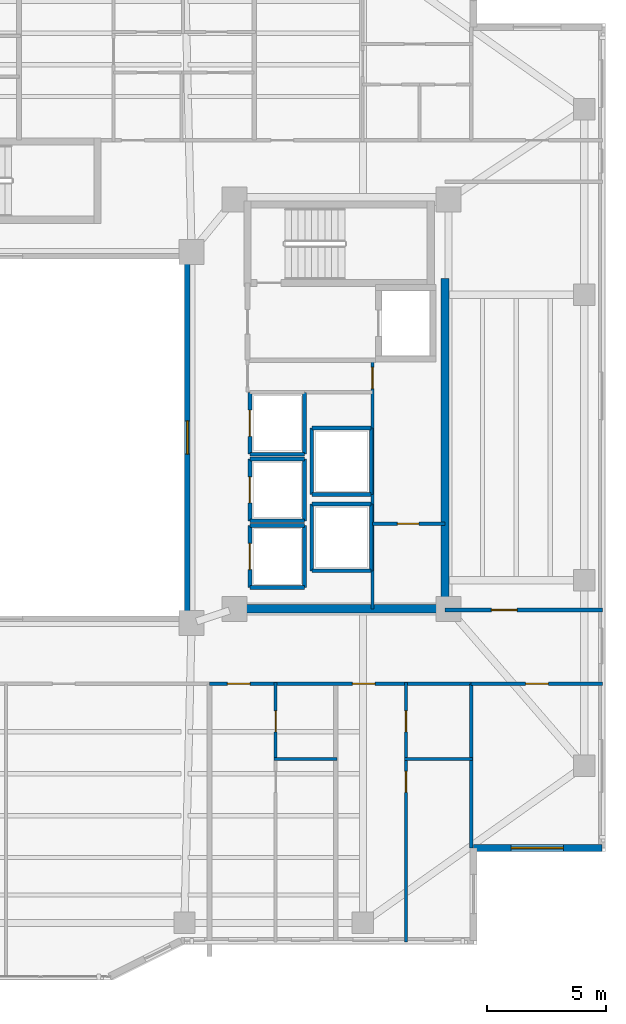
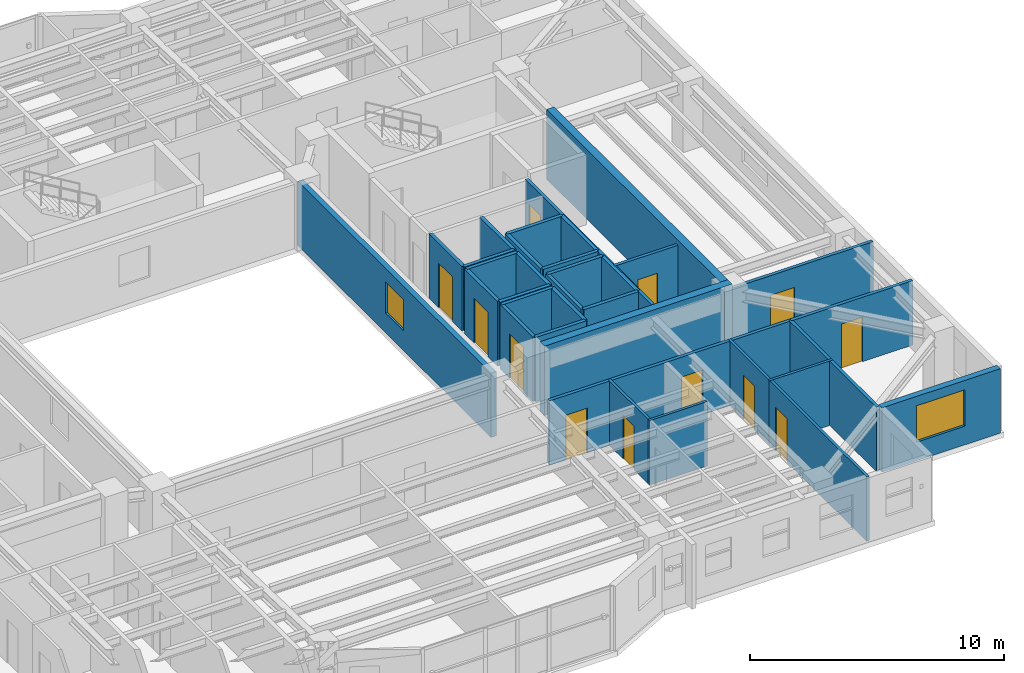
# One storey, part 8 of 16: 34 walls, 12 doors, 2 windows, 14 openings.
"""IFC4 building model written with IfcOpenShell, lengths in metres."""

from ifc_helpers import new_model, si_unit, direction, frame, frame_2d, origin, place, context, subcontext, project, spatial, rectangle, extrude, material, layer, layer_set, type_object, element, fill, save


model = new_model("IFC4")

# Units and contexts
model_context = context("Model", 3, precision=1e-05, world=origin(), true_north=direction((0.0, 1.0)))
body_context = subcontext(model_context, "Body", "Model", "MODEL_VIEW")
ifc_project = project(units=[si_unit("LENGTHUNIT", "METRE"), si_unit("AREAUNIT", "SQUARE_METRE"), si_unit("VOLUMEUNIT", "CUBIC_METRE"), si_unit("PLANEANGLEUNIT", "RADIAN"), si_unit("MASSUNIT", "GRAM", prefix="KILO")], contexts=[model_context])

# Site, building, storey
site_placement = place(None, origin())
site = spatial("IfcSite", under=ifc_project, at=site_placement, CompositionType="ELEMENT")
building_placement = place(site_placement, origin())
building = spatial("IfcBuilding", under=site, at=building_placement, Name="Tarnavaz Court Tower", CompositionType="ELEMENT")
storey_placement = place(building_placement, frame((0.0, 0.0, 156.050048828125)))
storey = spatial("IfcBuildingStorey", under=building, at=storey_placement, Name="L42", CompositionType="ELEMENT", Elevation=156.050048828125)

# Walls
ifc_material_1 = material(Name="Concrete C50/60", Category="concrete")
ifc_layer_1 = layer(ifc_material_1, 0.35009765625)
ifc_layer_set_1 = layer_set([ifc_layer_1], Name="Concrete C50/60")
wall_type_1 = type_object("IfcWallType", Name="WL-CORE-350-C50", PredefinedType="SHEAR", material=ifc_layer_set_1)
wall_1_placement = place(storey_placement, frame((18.449951171875, -7.375, 0.0), z_axis=(0.0, 0.0, 1.0), x_axis=(0.0, 1.0, 0.0)))
element("IfcWall", 1, at=wall_1_placement, inside=storey, type_object=wall_type_1, Name="L42 East Core Shear Wall 059", PredefinedType="SHEAR", context=body_context, shape_type="SweptSolid", body=[
    extrude(rectangle(XDim=14.050048828125, YDim=0.35009765625, at=frame_2d((7.02490234375, 0.0))), origin(), (0.0, 0.0, 1.0), 3.349853515625),
])
wall_2_placement = place(storey_placement, frame((10.074951171875, -7.199951171875, 0.0), z_axis=(0.0, 0.0, 1.0), x_axis=(1.0, 0.0, 0.0)))
element("IfcWall", 2, at=wall_2_placement, inside=storey, type_object=wall_type_1, Name="L42 East Core South Shear Wall 060", PredefinedType="SHEAR", context=body_context, shape_type="SweptSolid", body=[
    extrude(rectangle(XDim=8.550048828125, YDim=0.35009765625, at=frame_2d((4.27490234375, 0.0))), origin(), (0.0, 0.0, 1.0), 3.349853515625),
])

# Wall, opening, window
ifc_material_2 = material(Name="Precast Concrete C40/50", Category="concrete")
ifc_layer_2 = layer(ifc_material_2, 0.280029296875)
ifc_layer_set_2 = layer_set([ifc_layer_2], Name="Precast Concrete C40/50")
wall_type_2 = type_object("IfcWallType", Name="WL-EXT-280", PredefinedType="SOLIDWALL", material=ifc_layer_set_2)
wall_3_placement = place(storey_placement, frame((25.050048828125, -17.25, 0.0), z_axis=(0.0, 0.0, 1.0), x_axis=(-1.0, 0.0, 0.0)))
wall_3 = element("IfcWall", 3, at=wall_3_placement, inside=storey, type_object=wall_type_2, Name="L42 Exterior Terracotta Facade Wall 13", PredefinedType="SOLIDWALL", context=body_context, shape_type="SweptSolid", body=[
    extrude(rectangle(XDim=5.400146484375, YDim=0.280029296875, at=frame_2d((2.7001953125, 0.0))), origin(), (0.0, 0.0, 1.0), 3.099853515625),
])
opening_1_placement = place(wall_3_placement, frame((1.625, 0.0, 0.89990234375)))
opening_1 = element("IfcOpeningElement", 4, at=opening_1_placement, cuts=wall_3, Name="Opening W07", PredefinedType="OPENING", context=body_context, shape_type="SweptSolid", body=[
    extrude(rectangle(XDim=2.199951171875, YDim=1.75, at=frame_2d((1.10009765625, 0.875))), frame((0.0, 0.14990234375, 0.0), z_axis=(0.0, -1.0, 0.0), x_axis=(1.0, 0.0, 0.0)), (0.0, 0.0, 1.0), 0.300048828125),
])
ifc_material_3 = material(Name="Double-Glazed Solar Low-E Glass", Category="glass")
window_type_1 = type_object("IfcWindowType", Name="WN-APT-2200", PartitioningType="TRIPLE_PANEL_VERTICAL", PredefinedType="WINDOW", material=ifc_material_3)
window_1_placement = place(opening_1_placement, origin())
window_1 = element("IfcWindow", 5, at=window_1_placement, inside=storey, type_object=window_type_1, Name="L42 South-East Corner Reading Room Window", OverallHeight=1.75, OverallWidth=2.199951171875, PartitioningType="SINGLE_PANEL", PredefinedType="WINDOW", context=body_context, shape_type="SweptSolid", body=[
    extrude(rectangle(XDim=2.199951171875, YDim=1.75, at=frame_2d((1.10009765625, 0.875))), frame((0.0, 0.030029296875, 0.0), z_axis=(0.0, -1.0, 0.0), x_axis=(1.0, 0.0, 0.0)), (0.0, 0.0, 1.0), 0.06005859375),
])
fill(opening_1, window_1)

# Wall, openings, doors
ifc_material_4 = material(Name="Gypsum Fire-Board on Acoustic Metal Stud", Category="masonry")
ifc_layer_3 = layer(ifc_material_4, 0.14990234375)
ifc_layer_set_3 = layer_set([ifc_layer_3], Name="Gypsum Fire-Board on Acoustic Metal Stud")
wall_type_3 = type_object("IfcWallType", Name="WL-FIRE-150", PredefinedType="PARTITIONING", material=ifc_layer_set_3)
wall_4_placement = place(storey_placement, frame((8.550048828125, -10.35009765625, 0.0), z_axis=(0.0, 0.0, 1.0), x_axis=(1.0, 0.0, 0.0)))
wall_4 = element("IfcWall", 6, at=wall_4_placement, inside=storey, type_object=wall_type_3, Name="L42 SE Horseshoe Wall 074", PredefinedType="PARTITIONING", context=body_context, shape_type="SweptSolid", body=[
    extrude(rectangle(XDim=11.0, YDim=0.14990234375, at=frame_2d((5.5, 0.0))), origin(), (0.0, 0.0, 1.0), 3.099853515625),
])
opening_2_placement = place(wall_4_placement, frame((0.75, 0.0, 0.0)))
opening_2 = element("IfcOpeningElement", 7, at=opening_2_placement, cuts=wall_4, Name="Opening D06", PredefinedType="OPENING", context=body_context, shape_type="SweptSolid", body=[
    extrude(rectangle(XDim=0.9599609375, YDim=2.14990234375, at=frame_2d((0.47998046875, 1.074951171875))), frame((0.0, 0.0849609375, 0.0), z_axis=(0.0, -1.0, 0.0), x_axis=(1.0, 0.0, 0.0)), (0.0, 0.0, 1.0), 0.169921875),
])
opening_3_placement = place(wall_4_placement, frame((6.006103515625, 0.0, 0.0)))
opening_3 = element("IfcOpeningElement", 8, at=opening_3_placement, cuts=wall_4, Name="Opening D06", PredefinedType="OPENING", context=body_context, shape_type="SweptSolid", body=[
    extrude(rectangle(XDim=0.9599609375, YDim=2.14990234375, at=frame_2d((0.47998046875, 1.074951171875))), frame((0.0, 0.0849609375, 0.0), z_axis=(0.0, -1.0, 0.0), x_axis=(1.0, 0.0, 0.0)), (0.0, 0.0, 1.0), 0.169921875),
])
ifc_material_5 = material(Name="Fire-Rated Hardwood Timber Core", Category="wood")
door_type_1 = type_object("IfcDoorType", Name="DR-FD60-950", OperationType="NOTDEFINED", PredefinedType="DOOR", material=ifc_material_5)
door_1_placement = place(opening_2_placement, origin())
door_1 = element("IfcDoor", 9, at=door_1_placement, inside=storey, type_object=door_type_1, Name="L42 Flat 07 Entrance Door", OperationType="SINGLE_SWING_LEFT", OverallHeight=2.14990234375, OverallWidth=0.9599609375, PredefinedType="DOOR", context=body_context, shape_type="SweptSolid", body=[
    extrude(rectangle(XDim=0.9599609375, YDim=2.14990234375, at=frame_2d((0.47998046875, 1.074951171875))), frame((0.0, 0.02490234375, 0.0), z_axis=(0.0, -1.0, 0.0), x_axis=(1.0, 0.0, 0.0)), (0.0, 0.0, 1.0), 0.050048828125),
])
fill(opening_2, door_1)
door_2_placement = place(opening_3_placement, origin())
door_2 = element("IfcDoor", 10, at=door_2_placement, inside=storey, type_object=door_type_1, Name="L42 Flat 08 Entrance Door", OperationType="SINGLE_SWING_RIGHT", OverallHeight=2.14990234375, OverallWidth=0.9599609375, PredefinedType="DOOR", context=body_context, shape_type="SweptSolid", body=[
    extrude(rectangle(XDim=0.9599609375, YDim=2.14990234375, at=frame_2d((0.47998046875, 1.074951171875))), frame((0.0, 0.02490234375, 0.0), z_axis=(0.0, -1.0, 0.0), x_axis=(1.0, 0.0, 0.0)), (0.0, 0.0, 1.0), 0.050048828125),
])
fill(opening_3, door_2)

# Wall, opening, door
wall_5_placement = place(storey_placement, frame((18.449951171875, -7.25, 0.0), z_axis=(0.0, 0.0, 1.0), x_axis=(1.0, 0.0, 0.0)))
wall_5 = element("IfcWall", 11, at=wall_5_placement, inside=storey, type_object=wall_type_3, Name="L42 Interior Partition 120", PredefinedType="PARTITIONING", context=body_context, shape_type="SweptSolid", body=[
    extrude(rectangle(XDim=6.630126953125, YDim=0.14990234375, at=frame_2d((3.31494140625, 0.0))), origin(), (0.0, 0.0, 1.0), 3.099853515625),
])
opening_4_placement = place(wall_5_placement, frame((1.949951171875, 0.0, 0.0)))
opening_4 = element("IfcOpeningElement", 12, at=opening_4_placement, cuts=wall_5, Name="Opening D12", PredefinedType="OPENING", context=body_context, shape_type="SweptSolid", body=[
    extrude(rectangle(XDim=1.080078125, YDim=2.14990234375, at=frame_2d((0.5400390625, 1.074951171875))), frame((0.0, 0.0849609375, 0.0), z_axis=(0.0, -1.0, 0.0), x_axis=(1.0, 0.0, 0.0)), (0.0, 0.0, 1.0), 0.169921875),
])
ifc_material_6 = material(Name="Engineered Oak Timber", Category="wood")
door_type_2 = type_object("IfcDoorType", Name="DR-INT-1100", OperationType="NOTDEFINED", PredefinedType="DOOR", material=ifc_material_6)
door_3_placement = place(opening_4_placement, origin())
door_3 = element("IfcDoor", 13, at=door_3_placement, inside=storey, type_object=door_type_2, Name="L42 East Fitness Lounge Door", OperationType="SINGLE_SWING_RIGHT", OverallHeight=2.14990234375, OverallWidth=1.080078125, PredefinedType="DOOR", context=body_context, shape_type="SweptSolid", body=[
    extrude(rectangle(XDim=1.080078125, YDim=2.14990234375, at=frame_2d((0.5400390625, 1.074951171875))), frame((0.0, 0.02490234375, 0.0), z_axis=(0.0, -1.0, 0.0), x_axis=(1.0, 0.0, 0.0)), (0.0, 0.0, 1.0), 0.050048828125),
])
fill(opening_4, door_3)

wall_6_placement = place(storey_placement, frame((19.550048828125, -10.35009765625, 0.0), z_axis=(0.0, 0.0, 1.0), x_axis=(1.0, 0.0, 0.0)))
wall_6 = element("IfcWall", 14, at=wall_6_placement, inside=storey, type_object=wall_type_3, Name="L42 Interior Partition 129", PredefinedType="PARTITIONING", context=body_context, shape_type="SweptSolid", body=[
    extrude(rectangle(XDim=5.530029296875, YDim=0.14990234375, at=frame_2d((2.76513671875, 0.0))), origin(), (0.0, 0.0, 1.0), 3.099853515625),
])
opening_5_placement = place(wall_6_placement, frame((2.2900390625, 0.0, 0.0)))
opening_5 = element("IfcOpeningElement", 15, at=opening_5_placement, cuts=wall_6, Name="Opening D13", PredefinedType="OPENING", context=body_context, shape_type="SweptSolid", body=[
    extrude(rectangle(XDim=0.949951171875, YDim=2.14990234375, at=frame_2d((0.47509765625, 1.074951171875))), frame((0.0, 0.0849609375, 0.0), z_axis=(0.0, -1.0, 0.0), x_axis=(1.0, 0.0, 0.0)), (0.0, 0.0, 1.0), 0.169921875),
])
door_type_3 = type_object("IfcDoorType", Name="DR-INT-950", OperationType="NOTDEFINED", PredefinedType="DOOR", material=ifc_material_6)
door_4_placement = place(opening_5_placement, origin())
door_4 = element("IfcDoor", 16, at=door_4_placement, inside=storey, type_object=door_type_3, Name="L42 SE Reading Room Door", OperationType="SINGLE_SWING_RIGHT", OverallHeight=2.14990234375, OverallWidth=0.949951171875, PredefinedType="DOOR", context=body_context, shape_type="SweptSolid", body=[
    extrude(rectangle(XDim=0.949951171875, YDim=2.14990234375, at=frame_2d((0.47509765625, 1.074951171875))), frame((0.0, 0.02490234375, 0.0), z_axis=(0.0, -1.0, 0.0), x_axis=(1.0, 0.0, 0.0)), (0.0, 0.0, 1.0), 0.050048828125),
])
fill(opening_5, door_4)

ifc_material_7 = material(Name="Moisture-Resistant Gypsum Board Partition", Category="masonry")
ifc_layer_4 = layer(ifc_material_7, 0.1201171875)
ifc_layer_set_4 = layer_set([ifc_layer_4], Name="Moisture-Resistant Gypsum Board Partition")
wall_type_4 = type_object("IfcWallType", Name="WL-PART-120", PredefinedType="PARTITIONING", material=ifc_layer_set_4)
wall_7_placement = place(storey_placement, frame((11.3310546875, -13.510009765625, 0.0), z_axis=(0.0, 0.0, 1.0), x_axis=(0.0, 1.0, 0.0)))
wall_7 = element("IfcWall", 17, at=wall_7_placement, inside=storey, type_object=wall_type_4, Name="L42 Interior Partition 109", PredefinedType="PARTITIONING", context=body_context, shape_type="SweptSolid", body=[
    extrude(rectangle(XDim=3.219970703125, YDim=0.1201171875, at=frame_2d((1.60986328125, 0.0))), origin(), (0.0, 0.0, 1.0), 3.099853515625),
])
opening_6_placement = place(wall_7_placement, frame((1.139892578125, 0.0, 0.0)))
opening_6 = element("IfcOpeningElement", 18, at=opening_6_placement, cuts=wall_7, Name="Opening D14", PredefinedType="OPENING", context=body_context, shape_type="SweptSolid", body=[
    extrude(rectangle(XDim=0.8798828125, YDim=2.10009765625, at=frame_2d((0.43994140625, 1.050048828125))), frame((0.0, 0.070068359375, 0.0), z_axis=(0.0, -1.0, 0.0), x_axis=(1.0, 0.0, 0.0)), (0.0, 0.0, 1.0), 0.14013671875),
])
door_type_4 = type_object("IfcDoorType", Name="DR-INT-900", OperationType="NOTDEFINED", PredefinedType="DOOR", material=ifc_material_6)
door_5_placement = place(opening_6_placement, origin())
door_5 = element("IfcDoor", 19, at=door_5_placement, inside=storey, type_object=door_type_4, Name="L42 Flat 07 Bathroom Door", OperationType="SINGLE_SWING_LEFT", OverallHeight=2.10009765625, OverallWidth=0.8798828125, PredefinedType="DOOR", context=body_context, shape_type="SweptSolid", body=[
    extrude(rectangle(XDim=0.8798828125, YDim=2.10009765625, at=frame_2d((0.43994140625, 1.050048828125))), frame((0.0, 0.02490234375, 0.0), z_axis=(0.0, -1.0, 0.0), x_axis=(1.0, 0.0, 0.0)), (0.0, 0.0, 1.0), 0.050048828125),
])
fill(opening_6, door_5)

# Wall
wall_8_placement = place(storey_placement, frame((11.27099609375, -13.510009765625, 0.0), z_axis=(0.0, 0.0, 1.0), x_axis=(1.0, 0.0, 0.0)))
element("IfcWall", 20, at=wall_8_placement, inside=storey, type_object=wall_type_4, Name="L42 Interior Partition 110", PredefinedType="PARTITIONING", context=body_context, shape_type="SweptSolid", body=[
    extrude(rectangle(XDim=2.64501953125, YDim=0.1201171875, at=frame_2d((1.322509765625, 0.0))), origin(), (0.0, 0.0, 1.0), 3.099853515625),
])

# Wall, opening, door
wall_9_placement = place(storey_placement, frame((16.81396484375, -21.199951171875, 0.0), z_axis=(0.0, 0.0, 1.0), x_axis=(0.0, 1.0, 0.0)))
wall_9 = element("IfcWall", 21, at=wall_9_placement, inside=storey, type_object=wall_type_4, Name="L42 Interior Partition 111", PredefinedType="PARTITIONING", context=body_context, shape_type="SweptSolid", body=[
    extrude(rectangle(XDim=7.68994140625, YDim=0.1201171875, at=frame_2d((3.844970703125, 0.0))), origin(), (0.0, 0.0, 1.0), 3.099853515625),
])
opening_7_placement = place(wall_9_placement, frame((6.2900390625, 0.0, 0.0)))
opening_7 = element("IfcOpeningElement", 22, at=opening_7_placement, cuts=wall_9, Name="Opening D14", PredefinedType="OPENING", context=body_context, shape_type="SweptSolid", body=[
    extrude(rectangle(XDim=0.8798828125, YDim=2.10009765625, at=frame_2d((0.43994140625, 1.050048828125))), frame((0.0, 0.070068359375, 0.0), z_axis=(0.0, -1.0, 0.0), x_axis=(1.0, 0.0, 0.0)), (0.0, 0.0, 1.0), 0.14013671875),
])
door_6_placement = place(opening_7_placement, origin())
door_6 = element("IfcDoor", 23, at=door_6_placement, inside=storey, type_object=door_type_4, Name="L42 Flat 08 Kitchen Door", OperationType="SINGLE_SWING_LEFT", OverallHeight=2.10009765625, OverallWidth=0.8798828125, PredefinedType="DOOR", context=body_context, shape_type="SweptSolid", body=[
    extrude(rectangle(XDim=0.8798828125, YDim=2.10009765625, at=frame_2d((0.43994140625, 1.050048828125))), frame((0.0, 0.02490234375, 0.0), z_axis=(0.0, -1.0, 0.0), x_axis=(1.0, 0.0, 0.0)), (0.0, 0.0, 1.0), 0.050048828125),
])
fill(opening_7, door_6)

wall_10_placement = place(storey_placement, frame((16.81396484375, -13.510009765625, 0.0), z_axis=(0.0, 0.0, 1.0), x_axis=(0.0, 1.0, 0.0)))
wall_10 = element("IfcWall", 24, at=wall_10_placement, inside=storey, type_object=wall_type_4, Name="L42 Interior Partition 112", PredefinedType="PARTITIONING", context=body_context, shape_type="SweptSolid", body=[
    extrude(rectangle(XDim=3.219970703125, YDim=0.1201171875, at=frame_2d((1.60986328125, 0.0))), origin(), (0.0, 0.0, 1.0), 3.099853515625),
])
opening_8_placement = place(wall_10_placement, frame((1.139892578125, 0.0, 0.0)))
opening_8 = element("IfcOpeningElement", 25, at=opening_8_placement, cuts=wall_10, Name="Opening D14", PredefinedType="OPENING", context=body_context, shape_type="SweptSolid", body=[
    extrude(rectangle(XDim=0.8798828125, YDim=2.10009765625, at=frame_2d((0.43994140625, 1.050048828125))), frame((0.0, 0.070068359375, 0.0), z_axis=(0.0, -1.0, 0.0), x_axis=(1.0, 0.0, 0.0)), (0.0, 0.0, 1.0), 0.14013671875),
])
door_7_placement = place(opening_8_placement, origin())
door_7 = element("IfcDoor", 26, at=door_7_placement, inside=storey, type_object=door_type_4, Name="L42 Flat 08 Bathroom Door", OperationType="SINGLE_SWING_RIGHT", OverallHeight=2.10009765625, OverallWidth=0.8798828125, PredefinedType="DOOR", context=body_context, shape_type="SweptSolid", body=[
    extrude(rectangle(XDim=0.8798828125, YDim=2.10009765625, at=frame_2d((0.43994140625, 1.050048828125))), frame((0.0, 0.02490234375, 0.0), z_axis=(0.0, -1.0, 0.0), x_axis=(1.0, 0.0, 0.0)), (0.0, 0.0, 1.0), 0.050048828125),
])
fill(opening_8, door_7)

# Wall
wall_11_placement = place(storey_placement, frame((16.75390625, -13.510009765625, 0.0), z_axis=(0.0, 0.0, 1.0), x_axis=(1.0, 0.0, 0.0)))
element("IfcWall", 27, at=wall_11_placement, inside=storey, type_object=wall_type_4, Name="L42 Interior Partition 113", PredefinedType="PARTITIONING", context=body_context, shape_type="SweptSolid", body=[
    extrude(rectangle(XDim=2.856201171875, YDim=0.1201171875, at=frame_2d((1.42822265625, 0.0))), origin(), (0.0, 0.0, 1.0), 3.099853515625),
])

# Wall, opening, door
ifc_material_8 = material(Name="Gypsum Plasterboard Acoustic Partition", Category="masonry")
ifc_layer_5 = layer(ifc_material_8, 0.139892578125)
ifc_layer_set_5 = layer_set([ifc_layer_5], Name="Gypsum Plasterboard Acoustic Partition")
wall_type_5 = type_object("IfcWallType", Name="WL-PART-150", PredefinedType="PARTITIONING", material=ifc_layer_set_5)
wall_12_placement = place(storey_placement, frame((15.39990234375, -7.199951171875, 0.0), z_axis=(0.0, 0.0, 1.0), x_axis=(0.0, 1.0, 0.0)))
wall_12 = element("IfcWall", 28, at=wall_12_placement, inside=storey, type_object=wall_type_5, Name="L42 Interior Partition 069", PredefinedType="PARTITIONING", context=body_context, shape_type="SweptSolid", body=[
    extrude(rectangle(XDim=10.449951171875, YDim=0.139892578125, at=frame_2d((5.22509765625, 0.0))), origin(), (0.0, 0.0, 1.0), 3.099853515625),
])
opening_9_placement = place(wall_12_placement, frame((9.25, 0.0, 0.0)))
opening_9 = element("IfcOpeningElement", 29, at=opening_9_placement, cuts=wall_12, Name="Opening D09", PredefinedType="OPENING", context=body_context, shape_type="SweptSolid", body=[
    extrude(rectangle(XDim=0.89990234375, YDim=2.080078125, at=frame_2d((0.449951171875, 1.0400390625))), frame((0.0, 0.079833984375, 0.0), z_axis=(0.0, -1.0, 0.0), x_axis=(1.0, 0.0, 0.0)), (0.0, 0.0, 1.0), 0.159912109375),
])
door_type_5 = type_object("IfcDoorType", Name="DR-FD30-900", OperationType="NOTDEFINED", PredefinedType="DOOR", material=ifc_material_5)
door_8_placement = place(opening_9_placement, origin())
door_8 = element("IfcDoor", 30, at=door_8_placement, inside=storey, type_object=door_type_5, Name="L42 East Wet Riser Door", OperationType="SINGLE_SWING_LEFT", OverallHeight=2.080078125, OverallWidth=0.89990234375, PredefinedType="DOOR", context=body_context, shape_type="SweptSolid", body=[
    extrude(rectangle(XDim=0.89990234375, YDim=2.080078125, at=frame_2d((0.449951171875, 1.0400390625))), frame((0.0, 0.02490234375, 0.0), z_axis=(0.0, -1.0, 0.0), x_axis=(1.0, 0.0, 0.0)), (0.0, 0.0, 1.0), 0.050048828125),
])
fill(opening_9, door_8)

wall_13_placement = place(storey_placement, frame((15.39990234375, -3.6201171875, 0.0), z_axis=(0.0, 0.0, 1.0), x_axis=(1.0, 0.0, 0.0)))
wall_13 = element("IfcWall", 31, at=wall_13_placement, inside=storey, type_object=wall_type_5, Name="L42 Interior Partition 070", PredefinedType="PARTITIONING", context=body_context, shape_type="SweptSolid", body=[
    extrude(rectangle(XDim=3.050048828125, YDim=0.139892578125, at=frame_2d((1.52490234375, 0.0))), origin(), (0.0, 0.0, 1.0), 3.099853515625),
])
opening_10_placement = place(wall_13_placement, frame((1.050048828125, 0.0, 0.0)))
opening_10 = element("IfcOpeningElement", 32, at=opening_10_placement, cuts=wall_13, Name="Opening D09", PredefinedType="OPENING", context=body_context, shape_type="SweptSolid", body=[
    extrude(rectangle(XDim=0.89990234375, YDim=2.080078125, at=frame_2d((0.449951171875, 1.0400390625))), frame((0.0, 0.079833984375, 0.0), z_axis=(0.0, -1.0, 0.0), x_axis=(1.0, 0.0, 0.0)), (0.0, 0.0, 1.0), 0.159912109375),
])
door_9_placement = place(opening_10_placement, origin())
door_9 = element("IfcDoor", 33, at=door_9_placement, inside=storey, type_object=door_type_5, Name="L42 East Electrical Plant Door", OperationType="SINGLE_SWING_RIGHT", OverallHeight=2.080078125, OverallWidth=0.89990234375, PredefinedType="DOOR", context=body_context, shape_type="SweptSolid", body=[
    extrude(rectangle(XDim=0.89990234375, YDim=2.080078125, at=frame_2d((0.449951171875, 1.0400390625))), frame((0.0, 0.02490234375, 0.0), z_axis=(0.0, -1.0, 0.0), x_axis=(1.0, 0.0, 0.0)), (0.0, 0.0, 1.0), 0.050048828125),
])
fill(opening_10, door_9)

# Wall
wall_14_placement = place(storey_placement, frame((19.550048828125, -17.25, 0.0), z_axis=(0.0, 0.0, 1.0), x_axis=(0.0, 1.0, 0.0)))
element("IfcWall", 34, at=wall_14_placement, inside=storey, type_object=wall_type_5, Name="L42 Interior Partition 123", PredefinedType="PARTITIONING", context=body_context, shape_type="SweptSolid", body=[
    extrude(rectangle(XDim=6.89990234375, YDim=0.139892578125, at=frame_2d((3.449951171875, 0.0))), origin(), (0.0, 0.0, 1.0), 3.099853515625),
])

# Wall, opening, door
ifc_material_9 = material(Name="Autoclaved Aerated Concrete Blockwork", Category="masonry")
ifc_layer_6 = layer(ifc_material_9, 0.159912109375)
ifc_layer_set_6 = layer_set([ifc_layer_6], Name="Autoclaved Aerated Concrete Blockwork")
wall_type_6 = type_object("IfcWallType", Name="WL-SHAFT-150", PredefinedType="SOLIDWALL", material=ifc_layer_set_6)
wall_15_placement = place(storey_placement, frame((10.25, -6.300048828125, 0.0), z_axis=(0.0, 0.0, 1.0), x_axis=(0.0, 1.0, 0.0)))
wall_15 = element("IfcWall", 35, at=wall_15_placement, inside=storey, type_object=wall_type_6, Name="L42 Lift PL-M1 Shaft Wall 037", PredefinedType="SOLIDWALL", context=body_context, shape_type="SweptSolid", body=[
    extrude(rectangle(XDim=2.60009765625, YDim=0.159912109375, at=frame_2d((1.300048828125, 0.0))), origin(), (0.0, 0.0, 1.0), 3.099853515625),
])
opening_11_placement = place(wall_15_placement, frame((0.75, 0.0, 0.0)))
opening_11 = element("IfcOpeningElement", 36, at=opening_11_placement, cuts=wall_15, Name="Opening LD1", PredefinedType="OPENING", context=body_context, shape_type="SweptSolid", body=[
    extrude(rectangle(XDim=1.10009765625, YDim=2.14990234375, at=frame_2d((0.550048828125, 1.074951171875))), frame((0.0, 0.08984375, 0.0), z_axis=(0.0, -1.0, 0.0), x_axis=(1.0, 0.0, 0.0)), (0.0, 0.0, 1.0), 0.179931640625),
])
ifc_material_10 = material(Name="Stainless Steel", Category="steel")
door_type_6 = type_object("IfcDoorType", Name="DR-LD-1100", OperationType="NOTDEFINED", PredefinedType="DOOR", material=ifc_material_10)
door_10_placement = place(opening_11_placement, origin())
door_10 = element("IfcDoor", 37, at=door_10_placement, inside=storey, type_object=door_type_6, Name="L42 Lift Landing Door LD-PL-M1", OperationType="SLIDING_TO_LEFT", OverallHeight=2.14990234375, OverallWidth=1.10009765625, PredefinedType="DOOR", context=body_context, shape_type="SweptSolid", body=[
    extrude(rectangle(XDim=1.10009765625, YDim=2.14990234375, at=frame_2d((0.550048828125, 1.074951171875))), frame((0.0, 0.02490234375, 0.0), z_axis=(0.0, -1.0, 0.0), x_axis=(1.0, 0.0, 0.0)), (0.0, 0.0, 1.0), 0.050048828125),
])
fill(opening_11, door_10)

# Walls
wall_16_placement = place(storey_placement, frame((12.550048828125, -6.300048828125, 0.0), z_axis=(0.0, 0.0, 1.0), x_axis=(0.0, 1.0, 0.0)))
element("IfcWall", 38, at=wall_16_placement, inside=storey, type_object=wall_type_6, Name="L42 Lift PL-M1 Shaft Wall 038", PredefinedType="SOLIDWALL", context=body_context, shape_type="SweptSolid", body=[
    extrude(rectangle(XDim=2.60009765625, YDim=0.159912109375, at=frame_2d((1.300048828125, 0.0))), origin(), (0.0, 0.0, 1.0), 3.099853515625),
])
for number, where, z_axis, x_axis, name in (
    (39, (10.25, -6.300048828125, 0.0), (0.0, 0.0, 1.0), (1.0, 0.0, 0.0), "L42 Lift PL-M1 Shaft Wall 039"),
    (40, (10.25, -3.699951171875, 0.0), (0.0, 0.0, 1.0), (1.0, 0.0, 0.0), "L42 Lift PL-M1 Shaft Wall 040"),
):
    element("IfcWall", number, at=place(storey_placement, frame(where, z_axis=z_axis, x_axis=x_axis)), inside=storey, type_object=wall_type_6, Name=name, PredefinedType="SOLIDWALL", context=body_context, shape_type="SweptSolid", body=[
        extrude(rectangle(XDim=2.300048828125, YDim=0.159912109375, at=frame_2d((1.14990234375, 0.0))), origin(), (0.0, 0.0, 1.0), 3.099853515625),
    ])

# Wall, opening, door
wall_17_placement = place(storey_placement, frame((10.25, -3.5, 0.0), z_axis=(0.0, 0.0, 1.0), x_axis=(0.0, 1.0, 0.0)))
wall_17 = element("IfcWall", 41, at=wall_17_placement, inside=storey, type_object=wall_type_6, Name="L42 Lift PL-M2 Shaft Wall 041", PredefinedType="SOLIDWALL", context=body_context, shape_type="SweptSolid", body=[
    extrude(rectangle(XDim=2.60009765625, YDim=0.159912109375, at=frame_2d((1.300048828125, 0.0))), origin(), (0.0, 0.0, 1.0), 3.099853515625),
])
opening_12_placement = place(wall_17_placement, frame((0.75, 0.0, 0.0)))
opening_12 = element("IfcOpeningElement", 42, at=opening_12_placement, cuts=wall_17, Name="Opening LD1", PredefinedType="OPENING", context=body_context, shape_type="SweptSolid", body=[
    extrude(rectangle(XDim=1.10009765625, YDim=2.14990234375, at=frame_2d((0.550048828125, 1.074951171875))), frame((0.0, 0.08984375, 0.0), z_axis=(0.0, -1.0, 0.0), x_axis=(1.0, 0.0, 0.0)), (0.0, 0.0, 1.0), 0.179931640625),
])
door_11_placement = place(opening_12_placement, origin())
door_11 = element("IfcDoor", 43, at=door_11_placement, inside=storey, type_object=door_type_6, Name="L42 Lift Landing Door LD-PL-M2", OperationType="SLIDING_TO_LEFT", OverallHeight=2.14990234375, OverallWidth=1.10009765625, PredefinedType="DOOR", context=body_context, shape_type="SweptSolid", body=[
    extrude(rectangle(XDim=1.10009765625, YDim=2.14990234375, at=frame_2d((0.550048828125, 1.074951171875))), frame((0.0, 0.02490234375, 0.0), z_axis=(0.0, -1.0, 0.0), x_axis=(1.0, 0.0, 0.0)), (0.0, 0.0, 1.0), 0.050048828125),
])
fill(opening_12, door_11)

# Walls
wall_18_placement = place(storey_placement, frame((12.550048828125, -3.5, 0.0), z_axis=(0.0, 0.0, 1.0), x_axis=(0.0, 1.0, 0.0)))
element("IfcWall", 44, at=wall_18_placement, inside=storey, type_object=wall_type_6, Name="L42 Lift PL-M2 Shaft Wall 042", PredefinedType="SOLIDWALL", context=body_context, shape_type="SweptSolid", body=[
    extrude(rectangle(XDim=2.60009765625, YDim=0.159912109375, at=frame_2d((1.300048828125, 0.0))), origin(), (0.0, 0.0, 1.0), 3.099853515625),
])
for number, where, z_axis, x_axis, name in (
    (45, (10.25, -3.5, 0.0), (0.0, 0.0, 1.0), (1.0, 0.0, 0.0), "L42 Lift PL-M2 Shaft Wall 043"),
    (46, (10.25, -0.89990234375, 0.0), (0.0, 0.0, 1.0), (1.0, 0.0, 0.0), "L42 Lift PL-M2 Shaft Wall 044"),
):
    element("IfcWall", number, at=place(storey_placement, frame(where, z_axis=z_axis, x_axis=x_axis)), inside=storey, type_object=wall_type_6, Name=name, PredefinedType="SOLIDWALL", context=body_context, shape_type="SweptSolid", body=[
        extrude(rectangle(XDim=2.300048828125, YDim=0.159912109375, at=frame_2d((1.14990234375, 0.0))), origin(), (0.0, 0.0, 1.0), 3.099853515625),
    ])

# Wall, opening, door
wall_19_placement = place(storey_placement, frame((10.25, -0.699951171875, 0.0), z_axis=(0.0, 0.0, 1.0), x_axis=(0.0, 1.0, 0.0)))
wall_19 = element("IfcWall", 47, at=wall_19_placement, inside=storey, type_object=wall_type_6, Name="L42 Lift PL-M3 Shaft Wall 045", PredefinedType="SOLIDWALL", context=body_context, shape_type="SweptSolid", body=[
    extrude(rectangle(XDim=2.599853515625, YDim=0.159912109375, at=frame_2d((1.2998046875, 0.0))), origin(), (0.0, 0.0, 1.0), 3.099853515625),
])
opening_13_placement = place(wall_19_placement, frame((0.75, 0.0, 0.0)))
opening_13 = element("IfcOpeningElement", 48, at=opening_13_placement, cuts=wall_19, Name="Opening LD1", PredefinedType="OPENING", context=body_context, shape_type="SweptSolid", body=[
    extrude(rectangle(XDim=1.10009765625, YDim=2.14990234375, at=frame_2d((0.550048828125, 1.074951171875))), frame((0.0, 0.08984375, 0.0), z_axis=(0.0, -1.0, 0.0), x_axis=(1.0, 0.0, 0.0)), (0.0, 0.0, 1.0), 0.179931640625),
])
door_12_placement = place(opening_13_placement, origin())
door_12 = element("IfcDoor", 49, at=door_12_placement, inside=storey, type_object=door_type_6, Name="L42 Lift Landing Door LD-PL-M3", OperationType="SLIDING_TO_LEFT", OverallHeight=2.14990234375, OverallWidth=1.10009765625, PredefinedType="DOOR", context=body_context, shape_type="SweptSolid", body=[
    extrude(rectangle(XDim=1.10009765625, YDim=2.14990234375, at=frame_2d((0.550048828125, 1.074951171875))), frame((0.0, 0.02490234375, 0.0), z_axis=(0.0, -1.0, 0.0), x_axis=(1.0, 0.0, 0.0)), (0.0, 0.0, 1.0), 0.050048828125),
])
fill(opening_13, door_12)

# Walls
wall_20_placement = place(storey_placement, frame((12.550048828125, -0.699951171875, 0.0), z_axis=(0.0, 0.0, 1.0), x_axis=(0.0, 1.0, 0.0)))
element("IfcWall", 50, at=wall_20_placement, inside=storey, type_object=wall_type_6, Name="L42 Lift PL-M3 Shaft Wall 046", PredefinedType="SOLIDWALL", context=body_context, shape_type="SweptSolid", body=[
    extrude(rectangle(XDim=2.599853515625, YDim=0.159912109375, at=frame_2d((1.2998046875, 0.0))), origin(), (0.0, 0.0, 1.0), 3.099853515625),
])
wall_21_placement = place(storey_placement, frame((10.25, -0.699951171875, 0.0), z_axis=(0.0, 0.0, 1.0), x_axis=(1.0, 0.0, 0.0)))
element("IfcWall", 51, at=wall_21_placement, inside=storey, type_object=wall_type_6, Name="L42 Lift PL-M3 Shaft Wall 047", PredefinedType="SOLIDWALL", context=body_context, shape_type="SweptSolid", body=[
    extrude(rectangle(XDim=2.300048828125, YDim=0.159912109375, at=frame_2d((1.14990234375, 0.0))), origin(), (0.0, 0.0, 1.0), 3.099853515625),
])
for number, where, z_axis, x_axis, name in (
    (52, (12.85009765625, -5.60009765625, 0.0), (0.0, 0.0, 1.0), (0.0, 1.0, 0.0), "L42 Lift PL-OB1 Shaft Wall 049"),
    (53, (15.35009765625, -5.60009765625, 0.0), (0.0, 0.0, 1.0), (0.0, 1.0, 0.0), "L42 Lift PL-OB1 Shaft Wall 050"),
):
    element("IfcWall", number, at=place(storey_placement, frame(where, z_axis=z_axis, x_axis=x_axis)), inside=storey, type_object=wall_type_6, Name=name, PredefinedType="SOLIDWALL", context=body_context, shape_type="SweptSolid", body=[
        extrude(rectangle(XDim=2.800048828125, YDim=0.159912109375, at=frame_2d((1.39990234375, 0.0))), origin(), (0.0, 0.0, 1.0), 3.099853515625),
    ])
for number, where, z_axis, x_axis, name in (
    (54, (12.85009765625, -5.60009765625, 0.0), (0.0, 0.0, 1.0), (1.0, 0.0, 0.0), "L42 Lift PL-OB1 Shaft Wall 051"),
    (55, (12.85009765625, -2.800048828125, 0.0), (0.0, 0.0, 1.0), (1.0, 0.0, 0.0), "L42 Lift PL-OB1 Shaft Wall 052"),
):
    element("IfcWall", number, at=place(storey_placement, frame(where, z_axis=z_axis, x_axis=x_axis)), inside=storey, type_object=wall_type_6, Name=name, PredefinedType="SOLIDWALL", context=body_context, shape_type="SweptSolid", body=[
        extrude(rectangle(XDim=2.5, YDim=0.159912109375, at=frame_2d((1.25, 0.0))), origin(), (0.0, 0.0, 1.0), 3.099853515625),
    ])
for number, where, z_axis, x_axis, name in (
    (56, (12.85009765625, -2.39990234375, 0.0), (0.0, 0.0, 1.0), (0.0, 1.0, 0.0), "L42 Lift PL-OB2 Shaft Wall 053"),
    (57, (15.35009765625, -2.39990234375, 0.0), (0.0, 0.0, 1.0), (0.0, 1.0, 0.0), "L42 Lift PL-OB2 Shaft Wall 054"),
):
    element("IfcWall", number, at=place(storey_placement, frame(where, z_axis=z_axis, x_axis=x_axis)), inside=storey, type_object=wall_type_6, Name=name, PredefinedType="SOLIDWALL", context=body_context, shape_type="SweptSolid", body=[
        extrude(rectangle(XDim=2.7998046875, YDim=0.159912109375, at=frame_2d((1.39990234375, 0.0))), origin(), (0.0, 0.0, 1.0), 3.099853515625),
    ])
for number, where, z_axis, x_axis, name in (
    (58, (12.85009765625, -2.39990234375, 0.0), (0.0, 0.0, 1.0), (1.0, 0.0, 0.0), "L42 Lift PL-OB2 Shaft Wall 055"),
    (59, (12.85009765625, 0.39990234375, 0.0), (0.0, 0.0, 1.0), (1.0, 0.0, 0.0), "L42 Lift PL-OB2 Shaft Wall 056"),
):
    element("IfcWall", number, at=place(storey_placement, frame(where, z_axis=z_axis, x_axis=x_axis)), inside=storey, type_object=wall_type_6, Name=name, PredefinedType="SOLIDWALL", context=body_context, shape_type="SweptSolid", body=[
        extrude(rectangle(XDim=2.5, YDim=0.159912109375, at=frame_2d((1.25, 0.0))), origin(), (0.0, 0.0, 1.0), 3.099853515625),
    ])

# Wall, opening, window
ifc_layer_7 = layer(ifc_material_2, 0.239990234375)
ifc_layer_set_7 = layer_set([ifc_layer_7], Name="Precast Concrete C40/50")
wall_type_7 = type_object("IfcWallType", Name="WL-WELL-240", PredefinedType="SOLIDWALL", material=ifc_layer_set_7)
wall_22_placement = place(storey_placement, frame((7.6201171875, -7.6201171875, 0.0), z_axis=(0.0, 0.0, 1.0), x_axis=(0.0, 1.0, 0.0)))
wall_22 = element("IfcWall", 60, at=wall_22_placement, inside=storey, type_object=wall_type_7, Name="L42 Badgir Light-Well Exterior Wall E", PredefinedType="SOLIDWALL", context=body_context, shape_type="SweptSolid", body=[
    extrude(rectangle(XDim=15.240234375, YDim=0.239990234375, at=frame_2d((7.6201171875, 0.0))), origin(), (0.0, 0.0, 1.0), 3.099853515625),
])
opening_14_placement = place(wall_22_placement, frame((6.919921875, 0.0, 0.949951171875)))
opening_14 = element("IfcOpeningElement", 61, at=opening_14_placement, cuts=wall_22, Name="Opening W13", PredefinedType="OPENING", context=body_context, shape_type="SweptSolid", body=[
    extrude(rectangle(XDim=1.39990234375, YDim=1.5, at=frame_2d((0.699951171875, 0.75))), frame((0.0, 0.1298828125, 0.0), z_axis=(0.0, -1.0, 0.0), x_axis=(1.0, 0.0, 0.0)), (0.0, 0.0, 1.0), 0.260009765625),
])
window_type_2 = type_object("IfcWindowType", Name="WN-WEL-1400", PartitioningType="SINGLE_PANEL", PredefinedType="WINDOW", material=ifc_material_3)
window_2_placement = place(opening_14_placement, origin())
window_2 = element("IfcWindow", 62, at=window_2_placement, inside=storey, type_object=window_type_2, Name="L42 Courtyard Gallery Window E", OverallHeight=1.5, OverallWidth=1.39990234375, PartitioningType="SINGLE_PANEL", PredefinedType="WINDOW", context=body_context, shape_type="SweptSolid", body=[
    extrude(rectangle(XDim=1.39990234375, YDim=1.5, at=frame_2d((0.699951171875, 0.75))), frame((0.0, 0.030029296875, 0.0), z_axis=(0.0, -1.0, 0.0), x_axis=(1.0, 0.0, 0.0)), (0.0, 0.0, 1.0), 0.06005859375),
])
fill(opening_14, window_2)

save(model, "model.ifc")
